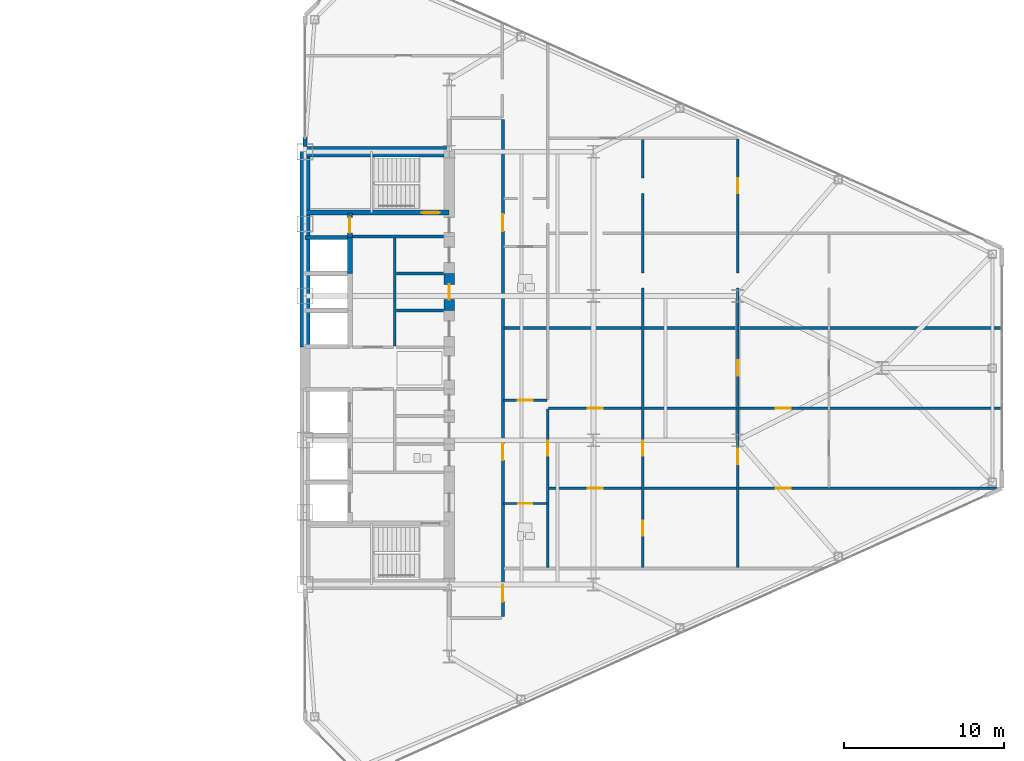
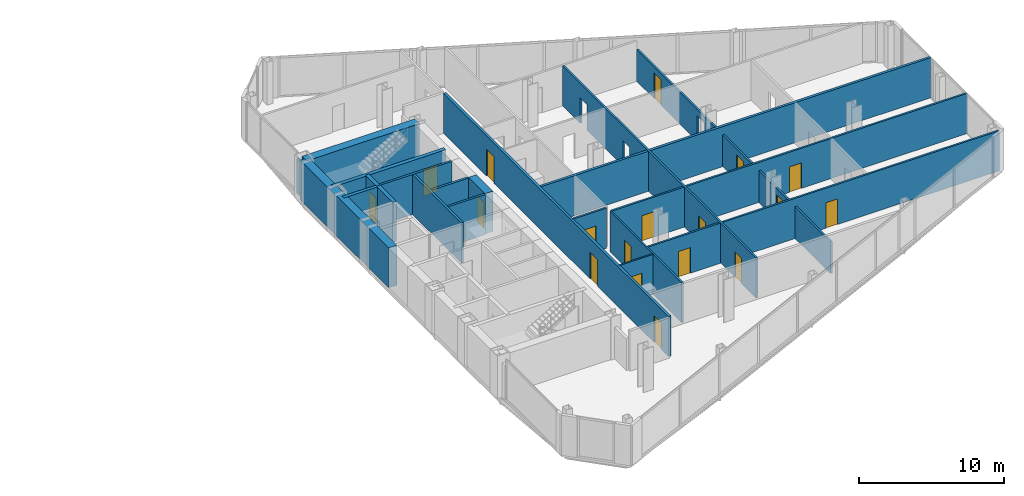
# One storey, part 23 of 27: 21 walls, 18 doors, 21 openings.
"""IFC4 building model written with IfcOpenShell, lengths in metres."""

from ifc_helpers import new_model, si_unit, direction, frame, frame_2d, origin, place, context, subcontext, project, spatial, rectangle, extrude, source, transform, mapped, material, layer, layer_set, type_object, type_shapes, element, fill, save


model = new_model("IFC4")

# Units and contexts
model_context = context("Model", 3, precision=1e-05, world=origin(), true_north=direction((0.0, 1.0)))
body_context = subcontext(model_context, "Body", "Model", "MODEL_VIEW")
ifc_project = project(units=[si_unit("LENGTHUNIT", "METRE"), si_unit("AREAUNIT", "SQUARE_METRE"), si_unit("VOLUMEUNIT", "CUBIC_METRE"), si_unit("PLANEANGLEUNIT", "RADIAN"), si_unit("MASSUNIT", "GRAM", prefix="KILO")], contexts=[model_context])

# Site, building, storey
site_placement = place(None, origin())
site = spatial("IfcSite", under=ifc_project, at=site_placement, CompositionType="ELEMENT")
building_placement = place(site_placement, origin())
building = spatial("IfcBuilding", under=site, at=building_placement, Name="Seokmaru Belvedere", CompositionType="ELEMENT")
storey_placement = place(building_placement, frame((0.0, 0.0, 99.60009765625)))
storey = spatial("IfcBuildingStorey", under=building, at=storey_placement, Name="L26", CompositionType="ELEMENT", Elevation=99.60009765625)

# Wall, openings, doors
ifc_material_1 = material(Name="Fire-Rated Gypsum Shaftwall")
ifc_layer_1 = layer(ifc_material_1, 0.14990234375)
ifc_layer_set_1 = layer_set([ifc_layer_1], Name="Fire-Rated Gypsum Shaftwall")
wall_type_1 = type_object("IfcWallType", Name="Apartment Fire-Acoustic Room Partition 150", PredefinedType="PARTITIONING", material=ifc_layer_set_1)
wall_1_placement = place(storey_placement, frame((42.699951171875, -7.5, 0.0), z_axis=(0.0, 0.0, 1.0), x_axis=(1.0, 0.0, 0.0)))
wall_1 = element("IfcWall", 1, at=wall_1_placement, inside=storey, type_object=wall_type_1, Name="L26 Interior Partition 008", PredefinedType="PARTITIONING", context=body_context, shape_type="SweptSolid", body=[
    extrude(rectangle(XDim=27.995361328125, YDim=0.14990234375, at=frame_2d((13.99755859375, 0.0))), origin(), (0.0, 0.0, 1.0), 3.3798828125),
])
opening_1_placement = place(wall_1_placement, frame((2.4375, 0.0, 0.0)))
opening_1 = element("IfcOpeningElement", 2, at=opening_1_placement, cuts=wall_1, Name="Opening D05", PredefinedType="OPENING", context=body_context, shape_type="SweptSolid", body=[
    extrude(rectangle(XDim=0.949951171875, YDim=2.14990234375, at=frame_2d((0.47509765625, 1.074951171875))), frame((0.0, 0.0849609375, 0.0), z_axis=(0.0, -1.0, 0.0), x_axis=(1.0, 0.0, 0.0)), (0.0, 0.0, 1.0), 0.169921875),
])
opening_2_placement = place(wall_1_placement, frame((14.175048828125, 0.0, 0.0)))
opening_2 = element("IfcOpeningElement", 3, at=opening_2_placement, cuts=wall_1, Name="Opening D05", PredefinedType="OPENING", context=body_context, shape_type="SweptSolid", body=[
    extrude(rectangle(XDim=0.949951171875, YDim=2.14990234375, at=frame_2d((0.47509765625, 1.074951171875))), frame((0.0, 0.0849609375, 0.0), z_axis=(0.0, -1.0, 0.0), x_axis=(1.0, 0.0, 0.0)), (0.0, 0.0, 1.0), 0.169921875),
])
ifc_material_2 = material(Name="Engineered White Oak Timber", Category="wood")
door_type_1 = type_object("IfcDoorType", Name="Apartment Interior Fire-Rated Oak Door 950x2150", OperationType="NOTDEFINED", PredefinedType="DOOR", material=ifc_material_2)
shared_shape_1 = source(origin(), body_context, "Body", "SweptSolid", [
    extrude(rectangle(XDim=0.949951171875, YDim=2.14990234375, at=frame_2d((0.47509765625, 1.074951171875))), frame((0.0, 0.02490234375, 0.0), z_axis=(0.0, -1.0, 0.0), x_axis=(1.0, 0.0, 0.0)), (0.0, 0.0, 1.0), 0.050048828125),
])
type_shapes(door_type_1, [shared_shape_1])
door_1_placement = place(opening_1_placement, origin())
door_1 = element("IfcDoor", 4, at=door_1_placement, inside=storey, type_object=door_type_1, Name="L26 Interior Door 039", OperationType="SINGLE_SWING_LEFT", OverallHeight=2.14990234375, OverallWidth=0.949951171875, PredefinedType="DOOR", context=body_context, shape_type="MappedRepresentation", body=[
    mapped(shared_shape_1, transform((0.0, 0.0, 0.0), scale=1.0)),
])
fill(opening_1, door_1)
door_2_placement = place(opening_2_placement, origin())
door_2 = element("IfcDoor", 5, at=door_2_placement, inside=storey, type_object=door_type_1, Name="L26 Interior Door 043", OperationType="SINGLE_SWING_RIGHT", OverallHeight=2.14990234375, OverallWidth=0.949951171875, PredefinedType="DOOR", context=body_context, shape_type="MappedRepresentation", body=[
    mapped(shared_shape_1, transform((0.0, 0.0, 0.0), scale=1.0)),
])
fill(opening_2, door_2)

wall_2_placement = place(storey_placement, frame((42.699951171875, -2.5, 0.0), z_axis=(0.0, 0.0, 1.0), x_axis=(1.0, 0.0, 0.0)))
wall_2 = element("IfcWall", 6, at=wall_2_placement, inside=storey, type_object=wall_type_1, Name="L26 Interior Partition 012", PredefinedType="PARTITIONING", context=body_context, shape_type="SweptSolid", body=[
    extrude(rectangle(XDim=28.3349609375, YDim=0.14990234375, at=frame_2d((14.16748046875, 0.0))), origin(), (0.0, 0.0, 1.0), 3.3798828125),
])
opening_3_placement = place(wall_2_placement, frame((2.4375, 0.0, 0.0)))
opening_3 = element("IfcOpeningElement", 7, at=opening_3_placement, cuts=wall_2, Name="Opening D05", PredefinedType="OPENING", context=body_context, shape_type="SweptSolid", body=[
    extrude(rectangle(XDim=0.949951171875, YDim=2.14990234375, at=frame_2d((0.47509765625, 1.074951171875))), frame((0.0, 0.0849609375, 0.0), z_axis=(0.0, -1.0, 0.0), x_axis=(1.0, 0.0, 0.0)), (0.0, 0.0, 1.0), 0.169921875),
])
opening_4_placement = place(wall_2_placement, frame((14.175048828125, 0.0, 0.0)))
opening_4 = element("IfcOpeningElement", 8, at=opening_4_placement, cuts=wall_2, Name="Opening D05", PredefinedType="OPENING", context=body_context, shape_type="SweptSolid", body=[
    extrude(rectangle(XDim=0.949951171875, YDim=2.14990234375, at=frame_2d((0.47509765625, 1.074951171875))), frame((0.0, 0.0849609375, 0.0), z_axis=(0.0, -1.0, 0.0), x_axis=(1.0, 0.0, 0.0)), (0.0, 0.0, 1.0), 0.169921875),
])
door_3_placement = place(opening_3_placement, origin())
door_3 = element("IfcDoor", 9, at=door_3_placement, inside=storey, type_object=door_type_1, Name="L26 Interior Door 041", OperationType="SINGLE_SWING_RIGHT", OverallHeight=2.14990234375, OverallWidth=0.949951171875, PredefinedType="DOOR", context=body_context, shape_type="MappedRepresentation", body=[
    mapped(shared_shape_1, transform((0.0, 0.0, 0.0), scale=1.0)),
])
fill(opening_3, door_3)
door_4_placement = place(opening_4_placement, origin())
door_4 = element("IfcDoor", 10, at=door_4_placement, inside=storey, type_object=door_type_1, Name="L26 Interior Door 045", OperationType="SINGLE_SWING_RIGHT", OverallHeight=2.14990234375, OverallWidth=0.949951171875, PredefinedType="DOOR", context=body_context, shape_type="MappedRepresentation", body=[
    mapped(shared_shape_1, transform((0.0, 0.0, 0.0), scale=1.0)),
])
fill(opening_4, door_4)

# Wall, opening, door
wall_3_placement = place(storey_placement, frame((39.89990234375, -2.0, 0.0), z_axis=(0.0, 0.0, 1.0), x_axis=(1.0, 0.0, 0.0)))
wall_3 = element("IfcWall", 11, at=wall_3_placement, inside=storey, type_object=wall_type_1, Name="L26 Interior Partition 013", PredefinedType="PARTITIONING", context=body_context, shape_type="SweptSolid", body=[
    extrude(rectangle(XDim=2.7001953125, YDim=0.14990234375, at=frame_2d((1.35009765625, 0.0))), origin(), (0.0, 0.0, 1.0), 3.3798828125),
])
opening_5_placement = place(wall_3_placement, frame((0.875, 0.0, 0.0)))
opening_5 = element("IfcOpeningElement", 12, at=opening_5_placement, cuts=wall_3, Name="Opening D05", PredefinedType="OPENING", context=body_context, shape_type="SweptSolid", body=[
    extrude(rectangle(XDim=0.949951171875, YDim=2.14990234375, at=frame_2d((0.47509765625, 1.074951171875))), frame((0.0, 0.0849609375, 0.0), z_axis=(0.0, -1.0, 0.0), x_axis=(1.0, 0.0, 0.0)), (0.0, 0.0, 1.0), 0.169921875),
])
door_5_placement = place(opening_5_placement, origin())
door_5 = element("IfcDoor", 13, at=door_5_placement, inside=storey, type_object=door_type_1, Name="L26 Interior Door 037", OperationType="SINGLE_SWING_RIGHT", OverallHeight=2.14990234375, OverallWidth=0.949951171875, PredefinedType="DOOR", context=body_context, shape_type="MappedRepresentation", body=[
    mapped(shared_shape_1, transform((0.0, 0.0, 0.0), scale=1.0)),
])
fill(opening_5, door_5)

# Wall, openings, doors
wall_4_placement = place(storey_placement, frame((48.580078125, -12.449951171875, 0.0), z_axis=(0.0, 0.0, 1.0), x_axis=(0.0, 1.0, 0.0)))
wall_4 = element("IfcWall", 14, at=wall_4_placement, inside=storey, type_object=wall_type_1, Name="L26 Interior Partition 049", PredefinedType="PARTITIONING", context=body_context, shape_type="SweptSolid", body=[
    extrude(rectangle(XDim=26.738037109375, YDim=0.14990234375, at=frame_2d((13.369140625, 0.0))), origin(), (0.0, 0.0, 1.0), 3.3798828125),
])
opening_6_placement = place(wall_4_placement, frame((6.97509765625, 0.0, 0.0)))
opening_6 = element("IfcOpeningElement", 15, at=opening_6_placement, cuts=wall_4, Name="Opening D05", PredefinedType="OPENING", context=body_context, shape_type="SweptSolid", body=[
    extrude(rectangle(XDim=0.949951171875, YDim=2.14990234375, at=frame_2d((0.47509765625, 1.074951171875))), frame((0.0, 0.0849609375, 0.0), z_axis=(0.0, -1.0, 0.0), x_axis=(1.0, 0.0, 0.0)), (0.0, 0.0, 1.0), 0.169921875),
])
opening_7_placement = place(wall_4_placement, frame((1.97509765625, 0.0, 0.0)))
opening_7 = element("IfcOpeningElement", 16, at=opening_7_placement, cuts=wall_4, Name="Opening D05", PredefinedType="OPENING", context=body_context, shape_type="SweptSolid", body=[
    extrude(rectangle(XDim=0.949951171875, YDim=2.14990234375, at=frame_2d((0.47509765625, 1.074951171875))), frame((0.0, 0.0849609375, 0.0), z_axis=(0.0, -1.0, 0.0), x_axis=(1.0, 0.0, 0.0)), (0.0, 0.0, 1.0), 0.169921875),
])
opening_8_placement = place(wall_4_placement, frame((23.353759765625, 0.0, 0.0)))
element("IfcOpeningElement", 17, at=opening_8_placement, cuts=wall_4, Name="L26 Cased Opening 054", PredefinedType="OPENING", context=body_context, shape_type="SweptSolid", body=[
    extrude(rectangle(XDim=0.949951171875, YDim=2.14990234375, at=frame_2d((0.47509765625, 1.074951171875))), frame((0.0, 0.0849609375, 0.0), z_axis=(0.0, -1.0, 0.0), x_axis=(1.0, 0.0, 0.0)), (0.0, 0.0, 1.0), 0.169921875),
])
opening_9_placement = place(wall_4_placement, frame((17.4345703125, 0.0, 0.0)))
element("IfcOpeningElement", 18, at=opening_9_placement, cuts=wall_4, Name="L26 Cased Opening 057", PredefinedType="OPENING", context=body_context, shape_type="SweptSolid", body=[
    extrude(rectangle(XDim=0.949951171875, YDim=2.14990234375, at=frame_2d((0.47509765625, 1.074951171875))), frame((0.0, 0.0849609375, 0.0), z_axis=(0.0, -1.0, 0.0), x_axis=(1.0, 0.0, 0.0)), (0.0, 0.0, 1.0), 0.169921875),
])
door_6_placement = place(opening_6_placement, origin())
door_6 = element("IfcDoor", 19, at=door_6_placement, inside=storey, type_object=door_type_1, Name="L26 Interior Door 040", OperationType="SINGLE_SWING_RIGHT", OverallHeight=2.14990234375, OverallWidth=0.949951171875, PredefinedType="DOOR", context=body_context, shape_type="MappedRepresentation", body=[
    mapped(shared_shape_1, transform((0.0, 0.0, 0.0), scale=1.0)),
])
fill(opening_6, door_6)
door_7_placement = place(opening_7_placement, origin())
door_7 = element("IfcDoor", 20, at=door_7_placement, inside=storey, type_object=door_type_1, Name="L26 Interior Door 047", OperationType="SINGLE_SWING_LEFT", OverallHeight=2.14990234375, OverallWidth=0.949951171875, PredefinedType="DOOR", context=body_context, shape_type="MappedRepresentation", body=[
    mapped(shared_shape_1, transform((0.0, 0.0, 0.0), scale=1.0)),
])
fill(opening_7, door_7)

wall_5_placement = place(storey_placement, frame((54.5, -12.449951171875, 0.0), z_axis=(0.0, 0.0, 1.0), x_axis=(0.0, 1.0, 0.0)))
wall_5 = element("IfcWall", 21, at=wall_5_placement, inside=storey, type_object=wall_type_1, Name="L26 Interior Partition 050", PredefinedType="PARTITIONING", context=body_context, shape_type="SweptSolid", body=[
    extrude(rectangle(XDim=26.738037109375, YDim=0.14990234375, at=frame_2d((13.369140625, 0.0))), origin(), (0.0, 0.0, 1.0), 2.679931640625),
])
opening_10_placement = place(wall_5_placement, frame((6.4580078125, 0.0, 0.0)))
opening_10 = element("IfcOpeningElement", 22, at=opening_10_placement, cuts=wall_5, Name="Opening D05", PredefinedType="OPENING", context=body_context, shape_type="SweptSolid", body=[
    extrude(rectangle(XDim=0.949951171875, YDim=2.14990234375, at=frame_2d((0.47509765625, 1.074951171875))), frame((0.0, 0.0849609375, 0.0), z_axis=(0.0, -1.0, 0.0), x_axis=(1.0, 0.0, 0.0)), (0.0, 0.0, 1.0), 0.169921875),
])
opening_11_placement = place(wall_5_placement, frame((11.97509765625, 0.0, 0.0)))
opening_11 = element("IfcOpeningElement", 23, at=opening_11_placement, cuts=wall_5, Name="Opening D05", PredefinedType="OPENING", context=body_context, shape_type="SweptSolid", body=[
    extrude(rectangle(XDim=0.949951171875, YDim=2.14990234375, at=frame_2d((0.47509765625, 1.074951171875))), frame((0.0, 0.0849609375, 0.0), z_axis=(0.0, -1.0, 0.0), x_axis=(1.0, 0.0, 0.0)), (0.0, 0.0, 1.0), 0.169921875),
])
opening_12_placement = place(wall_5_placement, frame((23.353759765625, 0.0, 0.0)))
opening_12 = element("IfcOpeningElement", 24, at=opening_12_placement, cuts=wall_5, Name="Opening D05", PredefinedType="OPENING", context=body_context, shape_type="SweptSolid", body=[
    extrude(rectangle(XDim=0.949951171875, YDim=2.14990234375, at=frame_2d((0.47509765625, 1.074951171875))), frame((0.0, 0.0849609375, 0.0), z_axis=(0.0, -1.0, 0.0), x_axis=(1.0, 0.0, 0.0)), (0.0, 0.0, 1.0), 0.169921875),
])
opening_13_placement = place(wall_5_placement, frame((17.4345703125, 0.0, 0.0)))
element("IfcOpeningElement", 25, at=opening_13_placement, cuts=wall_5, Name="L26 Cased Opening 058", PredefinedType="OPENING", context=body_context, shape_type="SweptSolid", body=[
    extrude(rectangle(XDim=0.949951171875, YDim=2.14990234375, at=frame_2d((0.47509765625, 1.074951171875))), frame((0.0, 0.0849609375, 0.0), z_axis=(0.0, -1.0, 0.0), x_axis=(1.0, 0.0, 0.0)), (0.0, 0.0, 1.0), 0.169921875),
])
door_8_placement = place(opening_10_placement, origin())
door_8 = element("IfcDoor", 26, at=door_8_placement, inside=storey, type_object=door_type_1, Name="L26 Interior Door 042", OperationType="SINGLE_SWING_LEFT", OverallHeight=2.14990234375, OverallWidth=0.949951171875, PredefinedType="DOOR", context=body_context, shape_type="MappedRepresentation", body=[
    mapped(shared_shape_1, transform((0.0, 0.0, 0.0), scale=1.0)),
])
fill(opening_10, door_8)
door_9_placement = place(opening_11_placement, origin())
door_9 = element("IfcDoor", 27, at=door_9_placement, inside=storey, type_object=door_type_1, Name="L26 Interior Door 048", OperationType="SINGLE_SWING_RIGHT", OverallHeight=2.14990234375, OverallWidth=0.949951171875, PredefinedType="DOOR", context=body_context, shape_type="MappedRepresentation", body=[
    mapped(shared_shape_1, transform((0.0, 0.0, 0.0), scale=1.0)),
])
fill(opening_11, door_9)
door_10_placement = place(opening_12_placement, origin())
door_10 = element("IfcDoor", 28, at=door_10_placement, inside=storey, type_object=door_type_1, Name="L26 Interior Door 056", OperationType="SINGLE_SWING_LEFT", OverallHeight=2.14990234375, OverallWidth=0.949951171875, PredefinedType="DOOR", context=body_context, shape_type="MappedRepresentation", body=[
    mapped(shared_shape_1, transform((0.0, 0.0, 0.0), scale=1.0)),
])
fill(opening_12, door_10)

# Walls
ifc_layer_2 = layer(ifc_material_1, 0.179931640625)
ifc_layer_set_2 = layer_set([ifc_layer_2], Name="Fire-Rated Gypsum Shaftwall")
wall_type_2 = type_object("IfcWallType", Name="Core Service Fire Partition 180", PredefinedType="PARTITIONING", material=ifc_layer_set_2)
wall_6_placement = place(storey_placement, frame((30.449951171875, 8.199951171875, 0.0), z_axis=(0.0, 0.0, 1.0), x_axis=(1.0, 0.0, 0.0)))
element("IfcWall", 29, at=wall_6_placement, inside=storey, type_object=wall_type_2, Name="L26 East Smokeproof Vestibule Partition", PredefinedType="PARTITIONING", context=body_context, shape_type="SweptSolid", body=[
    extrude(rectangle(XDim=5.699951171875, YDim=0.179931640625, at=frame_2d((2.85009765625, 0.0))), origin(), (0.0, 0.0, 1.0), 3.3798828125),
])
wall_7_placement = place(storey_placement, frame((33.10009765625, 1.3798828125, 0.0), z_axis=(0.0, 0.0, 1.0), x_axis=(0.0, 1.0, 0.0)))
element("IfcWall", 30, at=wall_7_placement, inside=storey, type_object=wall_type_2, Name="L26 East North Core Service Back Wall", PredefinedType="PARTITIONING", context=body_context, shape_type="SweptSolid", body=[
    extrude(rectangle(XDim=6.740234375, YDim=0.179931640625, at=frame_2d((3.3701171875, 0.0))), origin(), (0.0, 0.0, 1.0), 3.3798828125),
])
for number, where, z_axis, x_axis, name in (
    (31, (33.199951171875, 3.60009765625, 0.0), (0.0, 0.0, 1.0), (1.0, 0.0, 0.0), "L26 East Core Service Partition 3"),
    (32, (33.199951171875, 5.89990234375, 0.0), (0.0, 0.0, 1.0), (1.0, 0.0, 0.0), "L26 East Core Service Partition 4"),
):
    element("IfcWall", number, at=place(storey_placement, frame(where, z_axis=z_axis, x_axis=x_axis)), inside=storey, type_object=wall_type_2, Name=name, PredefinedType="PARTITIONING", context=body_context, shape_type="SweptSolid", body=[
        extrude(rectangle(XDim=2.949951171875, YDim=0.179931640625, at=frame_2d((1.47509765625, 0.0))), origin(), (0.0, 0.0, 1.0), 3.3798828125),
    ])
ifc_material_3 = material(Name="Concrete C50 (50 MPa)", Category="concrete")
ifc_layer_3 = layer(ifc_material_3, 0.25)
ifc_layer_set_3 = layer_set([ifc_layer_3], Name="Concrete C50 (50 MPa)")
wall_type_3 = type_object("IfcWallType", Name="Hoistway Transverse Concrete Divider Wall 250", PredefinedType="SHEAR", material=ifc_layer_set_3)
wall_8_placement = place(storey_placement, frame((27.5, 8.14990234375, 0.0), z_axis=(0.0, 0.0, 1.0), x_axis=(1.0, 0.0, 0.0)))
element("IfcWall", 33, at=wall_8_placement, inside=storey, type_object=wall_type_3, Name="L26 East Hoistway Divider Core Wall 7", PredefinedType="SHEAR", context=body_context, shape_type="SweptSolid", body=[
    extrude(rectangle(XDim=2.800048828125, YDim=0.25, at=frame_2d((1.39990234375, 0.0))), origin(), (0.0, 0.0, 1.0), 3.3798828125),
])
ifc_layer_4 = layer(ifc_material_1, 0.199951171875)
ifc_layer_set_4 = layer_set([ifc_layer_4], Name="Fire-Rated Gypsum Shaftwall")
wall_type_4 = type_object("IfcWallType", Name="Inter-Tenancy Fire Compartment Partition 200", PredefinedType="PARTITIONING", material=ifc_layer_set_4)
wall_9_placement = place(storey_placement, frame((39.929931640625, 2.5, 0.0), z_axis=(0.0, 0.0, 1.0), x_axis=(1.0, 0.0, 0.0)))
element("IfcWall", 34, at=wall_9_placement, inside=storey, type_object=wall_type_4, Name="L26 Interior Partition 016", PredefinedType="PARTITIONING", context=body_context, shape_type="SweptSolid", body=[
    extrude(rectangle(XDim=31.074951171875, YDim=0.199951171875, at=frame_2d((15.53759765625, 0.0))), origin(), (0.0, 0.0, 1.0), 3.3798828125),
])

# Wall, openings, doors
wall_10_placement = place(storey_placement, frame((39.85009765625, -15.514892578125, 0.0), z_axis=(0.0, 0.0, 1.0), x_axis=(0.0, 1.0, 0.0)))
wall_10 = element("IfcWall", 35, at=wall_10_placement, inside=storey, type_object=wall_type_4, Name="L26 Interior Partition 046", PredefinedType="PARTITIONING", context=body_context, shape_type="SweptSolid", body=[
    extrude(rectangle(XDim=31.02978515625, YDim=0.199951171875, at=frame_2d((15.514892578125, 0.0))), origin(), (0.0, 0.0, 1.0), 3.3798828125),
])
opening_14_placement = place(wall_10_placement, frame((0.93994140625, 0.0, 0.0)))
opening_14 = element("IfcOpeningElement", 36, at=opening_14_placement, cuts=wall_10, Name="Opening D03", PredefinedType="OPENING", context=body_context, shape_type="SweptSolid", body=[
    extrude(rectangle(XDim=1.050048828125, YDim=2.25, at=frame_2d((0.52490234375, 1.125))), frame((0.0, 0.10986328125, 0.0), z_axis=(0.0, -1.0, 0.0), x_axis=(1.0, 0.0, 0.0)), (0.0, 0.0, 1.0), 0.219970703125),
])
opening_15_placement = place(wall_10_placement, frame((9.764892578125, 0.0, 0.0)))
opening_15 = element("IfcOpeningElement", 37, at=opening_15_placement, cuts=wall_10, Name="Opening D03", PredefinedType="OPENING", context=body_context, shape_type="SweptSolid", body=[
    extrude(rectangle(XDim=1.050048828125, YDim=2.25, at=frame_2d((0.52490234375, 1.125))), frame((0.0, 0.10986328125, 0.0), z_axis=(0.0, -1.0, 0.0), x_axis=(1.0, 0.0, 0.0)), (0.0, 0.0, 1.0), 0.219970703125),
])
opening_16_placement = place(wall_10_placement, frame((24.0673828125, 0.0, 0.0)))
opening_16 = element("IfcOpeningElement", 38, at=opening_16_placement, cuts=wall_10, Name="Opening D03", PredefinedType="OPENING", context=body_context, shape_type="SweptSolid", body=[
    extrude(rectangle(XDim=1.050048828125, YDim=2.25, at=frame_2d((0.52490234375, 1.125))), frame((0.0, 0.10986328125, 0.0), z_axis=(0.0, -1.0, 0.0), x_axis=(1.0, 0.0, 0.0)), (0.0, 0.0, 1.0), 0.219970703125),
])
ifc_material_4 = material(Name="Fire-Rated Steel Leaf", Category="steel")
door_type_2 = type_object("IfcDoorType", Name="Apartment Entrance Fire Door 1050x2250", OperationType="NOTDEFINED", PredefinedType="DOOR", material=ifc_material_4)
shared_shape_2 = source(origin(), body_context, "Body", "SweptSolid", [
    extrude(rectangle(XDim=1.050048828125, YDim=2.25, at=frame_2d((0.52490234375, 1.125))), frame((0.0, 0.02490234375, 0.0), z_axis=(0.0, -1.0, 0.0), x_axis=(1.0, 0.0, 0.0)), (0.0, 0.0, 1.0), 0.050048828125),
])
type_shapes(door_type_2, [shared_shape_2])
door_11_placement = place(opening_14_placement, origin())
door_11 = element("IfcDoor", 39, at=door_11_placement, inside=storey, type_object=door_type_2, Name="L26 Interior Door 034", OperationType="SINGLE_SWING_LEFT", OverallHeight=2.25, OverallWidth=1.050048828125, PredefinedType="DOOR", context=body_context, shape_type="MappedRepresentation", body=[
    mapped(shared_shape_2, transform((0.0, 0.0, 0.0), scale=1.0)),
])
fill(opening_14, door_11)
door_12_placement = place(opening_15_placement, origin())
door_12 = element("IfcDoor", 40, at=door_12_placement, inside=storey, type_object=door_type_2, Name="L26 Interior Door 035", OperationType="SINGLE_SWING_RIGHT", OverallHeight=2.25, OverallWidth=1.050048828125, PredefinedType="DOOR", context=body_context, shape_type="MappedRepresentation", body=[
    mapped(shared_shape_2, transform((0.0, 0.0, 0.0), scale=1.0)),
])
fill(opening_15, door_12)
door_13_placement = place(opening_16_placement, origin())
door_13 = element("IfcDoor", 41, at=door_13_placement, inside=storey, type_object=door_type_2, Name="L26 Interior Door 049", OperationType="SINGLE_SWING_LEFT", OverallHeight=2.25, OverallWidth=1.050048828125, PredefinedType="DOOR", context=body_context, shape_type="MappedRepresentation", body=[
    mapped(shared_shape_2, transform((0.0, 0.0, 0.0), scale=1.0)),
])
fill(opening_16, door_13)

# Wall, opening, door
ifc_layer_5 = layer(ifc_material_3, 0.300048828125)
ifc_layer_set_5 = layer_set([ifc_layer_5], Name="Concrete C50 (50 MPa)")
wall_type_5 = type_object("IfcWallType", Name="Internal Core Stair and Hoistway Wall 300", PredefinedType="SHEAR", material=ifc_layer_set_5)
wall_11_placement = place(storey_placement, frame((27.5, 9.699951171875, 0.0), z_axis=(0.0, 0.0, 1.0), x_axis=(1.0, 0.0, 0.0)))
wall_11 = element("IfcWall", 42, at=wall_11_placement, inside=storey, type_object=wall_type_5, Name="L26 East Stair ST-2 Enclosure Wall", PredefinedType="SHEAR", context=body_context, shape_type="SweptSolid", body=[
    extrude(rectangle(XDim=9.0, YDim=0.300048828125, at=frame_2d((4.5, 0.0))), origin(), (0.0, 0.0, 1.0), 3.3798828125),
])
opening_17_placement = place(wall_11_placement, frame((7.300048828125, 0.0, 0.0)))
opening_17 = element("IfcOpeningElement", 43, at=opening_17_placement, cuts=wall_11, Name="Opening D01", PredefinedType="OPENING", context=body_context, shape_type="SweptSolid", body=[
    extrude(rectangle(XDim=1.10009765625, YDim=2.199951171875, at=frame_2d((0.550048828125, 1.10009765625))), frame((0.0, 0.16015625, 0.0), z_axis=(0.0, -1.0, 0.0), x_axis=(1.0, 0.0, 0.0)), (0.0, 0.0, 1.0), 0.320068359375),
])
door_type_3 = type_object("IfcDoorType", Name="Special Escape Stair Smokeproof Fire Door 1100x2200", OperationType="NOTDEFINED", PredefinedType="DOOR", material=ifc_material_4)
shared_shape_3 = source(origin(), body_context, "Body", "SweptSolid", [
    extrude(rectangle(XDim=1.10009765625, YDim=2.199951171875, at=frame_2d((0.550048828125, 1.10009765625))), frame((0.0, 0.02490234375, 0.0), z_axis=(0.0, -1.0, 0.0), x_axis=(1.0, 0.0, 0.0)), (0.0, 0.0, 1.0), 0.050048828125),
])
type_shapes(door_type_3, [shared_shape_3])
door_14_placement = place(opening_17_placement, origin())
door_14 = element("IfcDoor", 44, at=door_14_placement, inside=storey, type_object=door_type_3, Name="L26 East Special Escape Stair ST-2 Door", OperationType="SINGLE_SWING_LEFT", OverallHeight=2.199951171875, OverallWidth=1.10009765625, PredefinedType="DOOR", context=body_context, shape_type="MappedRepresentation", body=[
    mapped(shared_shape_3, transform((0.0, 0.0, 0.0), scale=1.0)),
])
fill(opening_17, door_14)

# Wall
wall_12_placement = place(storey_placement, frame((30.300048828125, 5.89990234375, 0.0), z_axis=(0.0, 0.0, 1.0), x_axis=(0.0, 1.0, 0.0)))
element("IfcWall", 45, at=wall_12_placement, inside=storey, type_object=wall_type_5, Name="L26 East North Hoistway Wall OBS", PredefinedType="SHEAR", context=body_context, shape_type="SweptSolid", body=[
    extrude(rectangle(XDim=2.25, YDim=0.300048828125, at=frame_2d((1.125, 0.0))), origin(), (0.0, 0.0, 1.0), 3.3798828125),
])

# Wall, opening, door
wall_13_placement = place(storey_placement, frame((30.300048828125, 8.14990234375, 0.0), z_axis=(0.0, 0.0, 1.0), x_axis=(0.0, 1.0, 0.0)))
wall_13 = element("IfcWall", 46, at=wall_13_placement, inside=storey, type_object=wall_type_5, Name="L26 East Electrical Riser Front Wall", PredefinedType="SHEAR", context=body_context, shape_type="SweptSolid", body=[
    extrude(rectangle(XDim=1.530029296875, YDim=0.300048828125, at=frame_2d((0.76513671875, 0.0))), origin(), (0.0, 0.0, 1.0), 3.3798828125),
])
opening_18_placement = place(wall_13_placement, frame((0.284912109375, 0.0, 0.0)))
opening_18 = element("IfcOpeningElement", 47, at=opening_18_placement, cuts=wall_13, Name="Opening D04", PredefinedType="OPENING", context=body_context, shape_type="SweptSolid", body=[
    extrude(rectangle(XDim=0.949951171875, YDim=2.14990234375, at=frame_2d((0.47509765625, 1.074951171875))), frame((0.0, 0.16015625, 0.0), z_axis=(0.0, -1.0, 0.0), x_axis=(1.0, 0.0, 0.0)), (0.0, 0.0, 1.0), 0.320068359375),
])
door_type_4 = type_object("IfcDoorType", Name="Core Service Room Fire Door 950x2150", OperationType="NOTDEFINED", PredefinedType="DOOR", material=ifc_material_4)
shared_shape_4 = source(origin(), body_context, "Body", "SweptSolid", [
    extrude(rectangle(XDim=0.949951171875, YDim=2.14990234375, at=frame_2d((0.47509765625, 1.074951171875))), frame((0.0, 0.02490234375, 0.0), z_axis=(0.0, -1.0, 0.0), x_axis=(1.0, 0.0, 0.0)), (0.0, 0.0, 1.0), 0.050048828125),
])
type_shapes(door_type_4, [shared_shape_4])
door_15_placement = place(opening_18_placement, origin())
door_15 = element("IfcDoor", 48, at=door_15_placement, inside=storey, type_object=door_type_4, Name="L26 East Electrical Riser Access Door", OperationType="SINGLE_SWING_RIGHT", OverallHeight=2.14990234375, OverallWidth=0.949951171875, PredefinedType="DOOR", context=body_context, shape_type="MappedRepresentation", body=[
    mapped(shared_shape_4, transform((0.0, 0.0, 0.0), scale=1.0)),
])
fill(opening_18, door_15)

# Walls
ifc_material_5 = material(Name="Concrete C60 (60 MPa)", Category="concrete")
ifc_layer_6 = layer(ifc_material_5, 0.64990234375)
ifc_layer_set_6 = layer_set([ifc_layer_6], Name="Concrete C60 (60 MPa)")
wall_type_6 = type_object("IfcWallType", Name="Mid-Low Reinforced Concrete Core Wall 650", PredefinedType="SHEAR", material=ifc_layer_set_6)
wall_14_placement = place(storey_placement, frame((27.5, 1.300048828125, 0.0), z_axis=(0.0, 0.0, 1.0), x_axis=(0.0, 1.0, 0.0)))
element("IfcWall", 49, at=wall_14_placement, inside=storey, type_object=wall_type_6, Name="L26 East Portal Spine Core Wall North", PredefinedType="SHEAR", context=body_context, shape_type="SweptSolid", body=[
    extrude(rectangle(XDim=12.199951171875, YDim=0.64990234375, at=frame_2d((6.10009765625, 0.0))), origin(), (0.0, 0.0, 1.0), 3.3798828125),
])
wall_15_placement = place(storey_placement, frame((27.5, 13.5, 0.0), z_axis=(0.0, 0.0, 1.0), x_axis=(1.0, 0.0, 0.0)))
element("IfcWall", 50, at=wall_15_placement, inside=storey, type_object=wall_type_6, Name="L26 East North Core Wall", PredefinedType="SHEAR", context=body_context, shape_type="SweptSolid", body=[
    extrude(rectangle(XDim=9.0, YDim=0.64990234375, at=frame_2d((4.5, 0.0))), origin(), (0.0, 0.0, 1.0), 3.3798828125),
])

# Wall, opening, door
wall_16_placement = place(storey_placement, frame((36.5, 3.60009765625, 0.0), z_axis=(0.0, 0.0, 1.0), x_axis=(0.0, 1.0, 0.0)))
wall_16 = element("IfcWall", 51, at=wall_16_placement, inside=storey, type_object=wall_type_6, Name="L26 East West Core Wall CS5", PredefinedType="SHEAR", context=body_context, shape_type="SweptSolid", body=[
    extrude(rectangle(XDim=2.2998046875, YDim=0.64990234375, at=frame_2d((1.14990234375, 0.0))), origin(), (0.0, 0.0, 1.0), 3.3798828125),
])
opening_19_placement = place(wall_16_placement, frame((0.675048828125, 0.0, 0.0)))
opening_19 = element("IfcOpeningElement", 52, at=opening_19_placement, cuts=wall_16, Name="Opening D04", PredefinedType="OPENING", context=body_context, shape_type="SweptSolid", body=[
    extrude(rectangle(XDim=0.949951171875, YDim=2.14990234375, at=frame_2d((0.47509765625, 1.074951171875))), frame((0.0, 0.3349609375, 0.0), z_axis=(0.0, -1.0, 0.0), x_axis=(1.0, 0.0, 0.0)), (0.0, 0.0, 1.0), 0.669921875),
])
door_16_placement = place(opening_19_placement, origin())
door_16 = element("IfcDoor", 53, at=door_16_placement, inside=storey, type_object=door_type_4, Name="L26 East Core Service Room Door 5", OperationType="SINGLE_SWING_RIGHT", OverallHeight=2.14990234375, OverallWidth=0.949951171875, PredefinedType="DOOR", context=body_context, shape_type="MappedRepresentation", body=[
    mapped(shared_shape_4, transform((0.0, 0.0, 0.0), scale=1.0)),
])
fill(opening_19, door_16)

ifc_layer_7 = layer(ifc_material_1, 0.1298828125)
ifc_layer_set_7 = layer_set([ifc_layer_7], Name="Fire-Rated Gypsum Shaftwall")
wall_type_7 = type_object("IfcWallType", Name="Moisture-Resistant Fire-Rated Bathroom Partition 130", PredefinedType="PARTITIONING", material=ifc_layer_set_7)
wall_17_placement = place(storey_placement, frame((39.89990234375, -8.449951171875, 0.0), z_axis=(0.0, 0.0, 1.0), x_axis=(1.0, 0.0, 0.0)))
wall_17 = element("IfcWall", 54, at=wall_17_placement, inside=storey, type_object=wall_type_7, Name="L26 Interior Partition 007", PredefinedType="PARTITIONING", context=body_context, shape_type="SweptSolid", body=[
    extrude(rectangle(XDim=2.7001953125, YDim=0.1298828125, at=frame_2d((1.35009765625, 0.0))), origin(), (0.0, 0.0, 1.0), 3.3798828125),
])
opening_20_placement = place(wall_17_placement, frame((0.909912109375, 0.0, 0.0)))
opening_20 = element("IfcOpeningElement", 55, at=opening_20_placement, cuts=wall_17, Name="Opening D06", PredefinedType="OPENING", context=body_context, shape_type="SweptSolid", body=[
    extrude(rectangle(XDim=0.8798828125, YDim=2.10009765625, at=frame_2d((0.43994140625, 1.050048828125))), frame((0.0, 0.074951171875, 0.0), z_axis=(0.0, -1.0, 0.0), x_axis=(1.0, 0.0, 0.0)), (0.0, 0.0, 1.0), 0.14990234375),
])
door_type_5 = type_object("IfcDoorType", Name="Bathroom and Restroom Fire-Rated Door 880x2100", OperationType="NOTDEFINED", PredefinedType="DOOR", material=ifc_material_2)
shared_shape_5 = source(origin(), body_context, "Body", "SweptSolid", [
    extrude(rectangle(XDim=0.8798828125, YDim=2.10009765625, at=frame_2d((0.43994140625, 1.050048828125))), frame((0.0, 0.02490234375, 0.0), z_axis=(0.0, -1.0, 0.0), x_axis=(1.0, 0.0, 0.0)), (0.0, 0.0, 1.0), 0.050048828125),
])
type_shapes(door_type_5, [shared_shape_5])
door_17_placement = place(opening_20_placement, origin())
door_17 = element("IfcDoor", 56, at=door_17_placement, inside=storey, type_object=door_type_5, Name="L26 Interior Door 036", OperationType="SINGLE_SWING_RIGHT", OverallHeight=2.10009765625, OverallWidth=0.8798828125, PredefinedType="DOOR", context=body_context, shape_type="MappedRepresentation", body=[
    mapped(shared_shape_5, transform((0.0, 0.0, 0.0), scale=1.0)),
])
fill(opening_20, door_17)

wall_18_placement = place(storey_placement, frame((42.64990234375, -12.449951171875, 0.0), z_axis=(0.0, 0.0, 1.0), x_axis=(0.0, 1.0, 0.0)))
wall_18 = element("IfcWall", 57, at=wall_18_placement, inside=storey, type_object=wall_type_7, Name="L26 Interior Partition 047", PredefinedType="PARTITIONING", context=body_context, shape_type="SweptSolid", body=[
    extrude(rectangle(XDim=9.89990234375, YDim=0.1298828125, at=frame_2d((4.949951171875, 0.0))), origin(), (0.0, 0.0, 1.0), 3.3798828125),
])
opening_21_placement = place(wall_18_placement, frame((6.97509765625, 0.0, 0.0)))
opening_21 = element("IfcOpeningElement", 58, at=opening_21_placement, cuts=wall_18, Name="Opening D05", PredefinedType="OPENING", context=body_context, shape_type="SweptSolid", body=[
    extrude(rectangle(XDim=0.949951171875, YDim=2.14990234375, at=frame_2d((0.47509765625, 1.074951171875))), frame((0.0, 0.074951171875, 0.0), z_axis=(0.0, -1.0, 0.0), x_axis=(1.0, 0.0, 0.0)), (0.0, 0.0, 1.0), 0.14990234375),
])
door_18_placement = place(opening_21_placement, origin())
door_18 = element("IfcDoor", 59, at=door_18_placement, inside=storey, type_object=door_type_1, Name="L26 Interior Door 038", OperationType="SINGLE_SWING_LEFT", OverallHeight=2.14990234375, OverallWidth=0.949951171875, PredefinedType="DOOR", context=body_context, shape_type="MappedRepresentation", body=[
    mapped(shared_shape_1, transform((0.0, 0.0, 0.0), scale=1.0)),
])
fill(opening_21, door_18)

# Wall
ifc_material_6 = material(Name="Anodised Bronze Aluminium", Category="aluminium")
ifc_layer_8 = layer(ifc_material_6, 0.239990234375)
ifc_layer_set_8 = layer_set([ifc_layer_8], Name="Anodised Bronze Aluminium")
wall_type_8 = type_object("IfcWallType", Name="Tower Corner Spandrel Closure Wall 240", PredefinedType="SOLIDWALL", material=ifc_layer_set_8)
wall_19_placement = place(storey_placement, frame((27.5, 13.830078125, 0.0), z_axis=(0.0, 0.0, 1.0), x_axis=(0.0, 1.0, 0.0)))
element("IfcWall", 60, at=wall_19_placement, inside=storey, type_object=wall_type_8, Name="L26 E Spine Closure Pier 2A", PredefinedType="SOLIDWALL", context=body_context, shape_type="SweptSolid", body=[
    extrude(rectangle(XDim=0.5498046875, YDim=0.239990234375, at=frame_2d((0.27490234375, 0.0))), origin(), (0.0, 0.0, 1.0), 2.8798828125),
])

save(model, "model.ifc")
